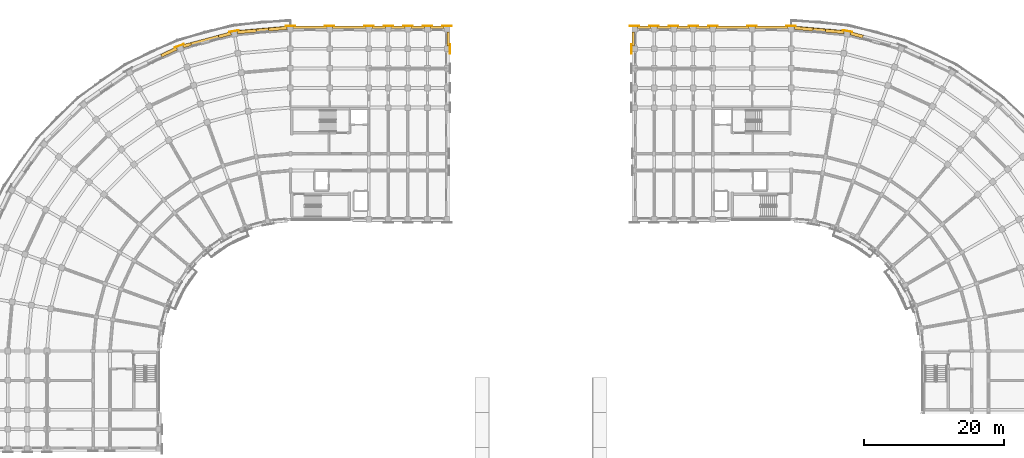
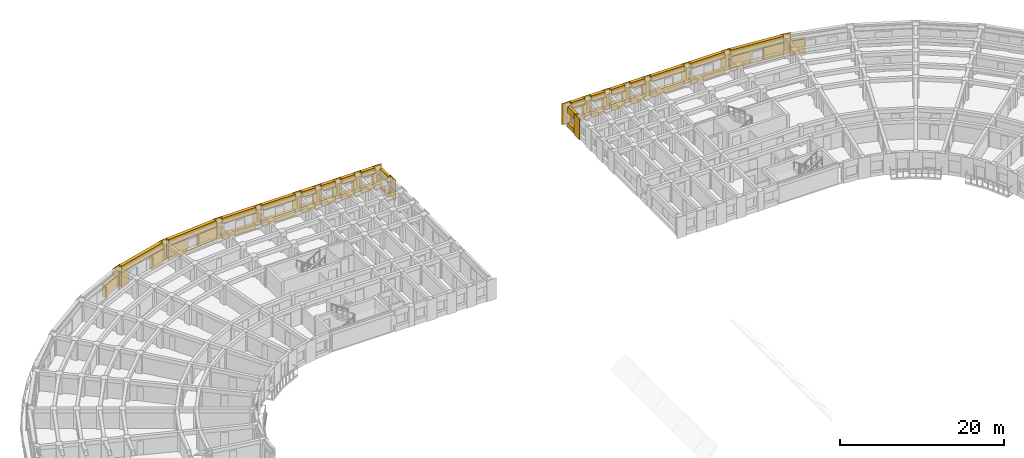
# One storey, part 53 of 54: 60 coverings.
"""IFC4 building model written with IfcOpenShell, lengths in metres."""

from ifc_helpers import new_model, si_unit, direction, frame, origin, place, context, subcontext, project, spatial, polyline, outline, extrude, material, layer, layer_set, type_object, element, save


model = new_model("IFC4")

# Units and contexts
model_context = context("Model", 3, precision=1e-05, world=origin(), true_north=direction((0.0, 1.0)))
body_context = subcontext(model_context, "Body", "Model", "MODEL_VIEW")
ifc_project = project(units=[si_unit("LENGTHUNIT", "METRE"), si_unit("AREAUNIT", "SQUARE_METRE"), si_unit("VOLUMEUNIT", "CUBIC_METRE"), si_unit("PLANEANGLEUNIT", "RADIAN"), si_unit("MASSUNIT", "GRAM", prefix="KILO")], contexts=[model_context])

# Site, building, storey
site_placement = place(None, origin())
site = spatial("IfcSite", under=ifc_project, at=site_placement, CompositionType="ELEMENT")
building_placement = place(site_placement, origin())
building = spatial("IfcBuilding", under=site, at=building_placement, Name="Kiranvali Square Residences", CompositionType="ELEMENT")
storey_placement = place(building_placement, frame((0.0, 0.0, 11.85009765625)))
storey = spatial("IfcBuildingStorey", under=building, at=storey_placement, Name="L03", CompositionType="ELEMENT", Elevation=11.85009765625)

# Coverings
ifc_material = material(Name="Honed Porbandar limestone ashlar facade cladding", Category="masonry")
ifc_layer_1 = layer(ifc_material, 0.3798828125)
ifc_layer_set_1 = layer_set([ifc_layer_1], Name="Honed Porbandar limestone ashlar facade cladding")
covering_type_1 = type_object("IfcCoveringType", Name="COV-CLAD-JAMB", PredefinedType="CLADDING", material=ifc_layer_set_1)
covering_1_placement = place(storey_placement, frame((0.0, 0.0, 0.421875)))
element("IfcCovering", 1, at=covering_1_placement, inside=storey, type_object=covering_type_1, Name="L03 deep limestone window jamb reveal A-L03-CRV-00.L", PredefinedType="CLADDING", context=body_context, shape_type="SweptSolid", body=[
    extrude(outline(polyline([(47.711669921875, 134.218994140625), (45.03759765625, 133.985107421875), (45.07763671875, 133.52734375), (47.751708984375, 133.76123046875), (47.711669921875, 134.218994140625)])), origin(), (0.0, 0.0, 1.0), 1.75),
])
covering_2_placement = place(storey_placement, frame((0.0, 0.0, 0.421875)))
element("IfcCovering", 2, at=covering_2_placement, inside=storey, type_object=covering_type_1, Name="L03 deep limestone window jamb reveal A-L03-CRV-00.R", PredefinedType="CLADDING", context=body_context, shape_type="SweptSolid", body=[
    extrude(outline(polyline([(43.29443359375, 133.83251953125), (40.620361328125, 133.5986328125), (40.660400390625, 133.140869140625), (43.33447265625, 133.374755859375), (43.29443359375, 133.83251953125)])), origin(), (0.0, 0.0, 1.0), 1.75),
])
covering_3_placement = place(storey_placement, origin())
element("IfcCovering", 3, at=covering_3_placement, inside=storey, type_object=covering_type_1, Name="L03 deep limestone window jamb reveal A-L03-CRV-01.L", PredefinedType="CLADDING", context=body_context, shape_type="SweptSolid", body=[
    extrude(outline(polyline([(39.658447265625, 133.428955078125), (37.8798828125, 132.952392578125), (37.998779296875, 132.508544921875), (39.77734375, 132.985107421875), (39.658447265625, 133.428955078125)])), origin(), (0.0, 0.0, 1.0), 2.179931640625),
])
covering_4_placement = place(storey_placement, origin())
element("IfcCovering", 4, at=covering_4_placement, inside=storey, type_object=covering_type_1, Name="L03 deep limestone window jamb reveal A-L03-CRV-01.R", PredefinedType="CLADDING", context=body_context, shape_type="SweptSolid", body=[
    extrude(outline(polyline([(33.942626953125, 131.8974609375), (32.78271484375, 131.586669921875), (32.901611328125, 131.142822265625), (34.0615234375, 131.45361328125), (33.942626953125, 131.8974609375)])), origin(), (0.0, 0.0, 1.0), 2.179931640625),
])
covering_5_placement = place(storey_placement, frame((0.0, 0.0, 0.371826171875)))
element("IfcCovering", 5, at=covering_5_placement, inside=storey, type_object=covering_type_1, Name="L03 deep limestone window jamb reveal A-L03-CRV-02.L", PredefinedType="CLADDING", context=body_context, shape_type="SweptSolid", body=[
    extrude(outline(polyline([(31.86474609375, 131.252685546875), (29.635986328125, 130.21337890625), (29.830322265625, 129.796875), (32.05908203125, 130.836181640625), (31.86474609375, 131.252685546875)])), origin(), (0.0, 0.0, 1.0), 1.800048828125),
])
covering_6_placement = place(storey_placement, frame((0.0, 0.0, 0.421875)))
element("IfcCovering", 6, at=covering_6_placement, inside=storey, type_object=covering_type_1, Name="L03 deep limestone window jamb reveal B-L03-CRV-00.L", PredefinedType="CLADDING", context=body_context, shape_type="SweptSolid", body=[
    extrude(outline(polyline([(120.248291015625, 133.76123046875), (122.92236328125, 133.52734375), (122.96240234375, 133.985107421875), (120.288330078125, 134.218994140625), (120.248291015625, 133.76123046875)])), origin(), (0.0, 0.0, 1.0), 1.75),
])
covering_7_placement = place(storey_placement, frame((0.0, 0.0, 0.421875)))
element("IfcCovering", 7, at=covering_7_placement, inside=storey, type_object=covering_type_1, Name="L03 deep limestone window jamb reveal B-L03-CRV-00.R", PredefinedType="CLADDING", context=body_context, shape_type="SweptSolid", body=[
    extrude(outline(polyline([(124.66552734375, 133.374755859375), (127.339599609375, 133.140869140625), (127.379638671875, 133.5986328125), (124.70556640625, 133.83251953125), (124.66552734375, 133.374755859375)])), origin(), (0.0, 0.0, 1.0), 1.75),
])
covering_8_placement = place(storey_placement, origin())
element("IfcCovering", 8, at=covering_8_placement, inside=storey, type_object=covering_type_1, Name="L03 deep limestone window jamb reveal B-L03-CRV-01.L", PredefinedType="CLADDING", context=body_context, shape_type="SweptSolid", body=[
    extrude(outline(polyline([(128.22265625, 132.985107421875), (130.001220703125, 132.508544921875), (130.1201171875, 132.952392578125), (128.341552734375, 133.428955078125), (128.22265625, 132.985107421875)])), origin(), (0.0, 0.0, 1.0), 2.179931640625),
])
ifc_layer_2 = layer(ifc_material, 0.06494140625)
ifc_layer_set_2 = layer_set([ifc_layer_2], Name="Honed Porbandar limestone ashlar facade cladding")
covering_type_2 = type_object("IfcCoveringType", Name="COV-CLAD-PIER", PredefinedType="CLADDING", material=ifc_layer_set_2)
covering_9_placement = place(storey_placement, frame((0.0, 0.0, 0.0048828125)))
element("IfcCovering", 9, at=covering_9_placement, inside=storey, type_object=covering_type_2, Name="L03 Classical limestone corner pilaster CLAD-PR-A-L03-A00", PredefinedType="CLADDING", context=body_context, shape_type="SweptSolid", body=[
    extrude(outline(polyline([(48.8798828125, 134.26806640625), (47.52001953125, 134.26806640625), (47.52001953125, 134.200439453125), (48.8798828125, 134.200439453125), (48.8798828125, 134.26806640625)])), origin(), (0.0, 0.0, 1.0), 3.14013671875),
])
covering_10_placement = place(storey_placement, frame((0.0, 0.0, 0.0048828125)))
element("IfcCovering", 10, at=covering_10_placement, inside=storey, type_object=covering_type_2, Name="L03 Classical limestone corner pilaster CLAD-PR-A-L03-A01", PredefinedType="CLADDING", context=body_context, shape_type="SweptSolid", body=[
    extrude(outline(polyline([(40.800537109375, 133.68017578125), (39.461181640625, 133.444091796875), (39.472900390625, 133.37744140625), (40.812255859375, 133.61376953125), (40.800537109375, 133.68017578125)])), origin(), (0.0, 0.0, 1.0), 3.14013671875),
])
covering_11_placement = place(storey_placement, frame((0.0, 0.0, 0.0048828125)))
element("IfcCovering", 11, at=covering_11_placement, inside=storey, type_object=covering_type_2, Name="L03 Classical limestone corner pilaster CLAD-PR-A-L03-A02", PredefinedType="CLADDING", context=body_context, shape_type="SweptSolid", body=[
    extrude(outline(polyline([(32.946044921875, 131.6982421875), (31.66796875, 131.233154296875), (31.691162109375, 131.169677734375), (32.968994140625, 131.634765625), (32.946044921875, 131.6982421875)])), origin(), (0.0, 0.0, 1.0), 3.14013671875),
])
covering_12_placement = place(storey_placement, frame((0.0, 0.0, 0.0048828125)))
element("IfcCovering", 12, at=covering_12_placement, inside=storey, type_object=covering_type_2, Name="L03 Classical limestone pilaster casing CLAD-PR-A-L03-U56", PredefinedType="CLADDING", context=body_context, shape_type="SweptSolid", body=[
    extrude(outline(polyline([(53.1201171875, 134.200439453125), (54.47998046875, 134.200439453125), (54.47998046875, 134.26806640625), (53.1201171875, 134.26806640625), (53.1201171875, 134.200439453125)])), origin(), (0.0, 0.0, 1.0), 3.14013671875),
])
covering_13_placement = place(storey_placement, frame((0.0, 0.0, 0.0048828125)))
element("IfcCovering", 13, at=covering_13_placement, inside=storey, type_object=covering_type_2, Name="L03 Classical limestone pilaster casing CLAD-PR-A-L03-U112", PredefinedType="CLADDING", context=body_context, shape_type="SweptSolid", body=[
    extrude(outline(polyline([(58.719970703125, 134.200439453125), (60.080078125, 134.200439453125), (60.080078125, 134.26806640625), (58.719970703125, 134.26806640625), (58.719970703125, 134.200439453125)])), origin(), (0.0, 0.0, 1.0), 3.14013671875),
])
covering_14_placement = place(storey_placement, frame((0.0, 0.0, 0.0048828125)))
element("IfcCovering", 14, at=covering_14_placement, inside=storey, type_object=covering_type_2, Name="L03 Classical limestone pilaster casing CLAD-PR-A-L03-U140", PredefinedType="CLADDING", context=body_context, shape_type="SweptSolid", body=[
    extrude(outline(polyline([(61.52001953125, 134.200439453125), (62.8798828125, 134.200439453125), (62.8798828125, 134.26806640625), (61.52001953125, 134.26806640625), (61.52001953125, 134.200439453125)])), origin(), (0.0, 0.0, 1.0), 3.14013671875),
])
covering_15_placement = place(storey_placement, frame((0.0, 0.0, 0.0048828125)))
element("IfcCovering", 15, at=covering_15_placement, inside=storey, type_object=covering_type_2, Name="L03 Classical limestone pilaster casing CLAD-PR-A-L03-U167", PredefinedType="CLADDING", context=body_context, shape_type="SweptSolid", body=[
    extrude(outline(polyline([(64.320068359375, 134.200439453125), (65.679931640625, 134.200439453125), (65.679931640625, 134.26806640625), (64.320068359375, 134.26806640625), (64.320068359375, 134.200439453125)])), origin(), (0.0, 0.0, 1.0), 3.14013671875),
])
covering_16_placement = place(storey_placement, frame((0.0, 0.0, 0.0048828125)))
element("IfcCovering", 16, at=covering_16_placement, inside=storey, type_object=covering_type_2, Name="L03 Classical limestone pilaster casing CLAD-PR-A-L03-U195", PredefinedType="CLADDING", context=body_context, shape_type="SweptSolid", body=[
    extrude(outline(polyline([(67.1201171875, 134.200439453125), (68.47998046875, 134.200439453125), (68.47998046875, 134.26806640625), (67.1201171875, 134.26806640625), (67.1201171875, 134.200439453125)])), origin(), (0.0, 0.0, 1.0), 3.14013671875),
])
covering_17_placement = place(storey_placement, frame((0.0, 0.0, 0.0048828125)))
element("IfcCovering", 17, at=covering_17_placement, inside=storey, type_object=covering_type_2, Name="L03 Classical limestone pilaster casing CLAD-PR-A-L03-U224", PredefinedType="CLADDING", context=body_context, shape_type="SweptSolid", body=[
    extrude(outline(polyline([(69.919921875, 134.200439453125), (71.280029296875, 134.200439453125), (71.280029296875, 134.26806640625), (69.919921875, 134.26806640625), (69.919921875, 134.200439453125)])), origin(), (0.0, 0.0, 1.0), 3.14013671875),
])
covering_18_placement = place(storey_placement, frame((0.0, 0.0, 0.0048828125)))
element("IfcCovering", 18, at=covering_18_placement, inside=storey, type_object=covering_type_2, Name="L03 Classical limestone corner pilaster CLAD-PR-B-L03-A00", PredefinedType="CLADDING", context=body_context, shape_type="SweptSolid", body=[
    extrude(outline(polyline([(120.47998046875, 134.26806640625), (119.1201171875, 134.26806640625), (119.1201171875, 134.200439453125), (120.47998046875, 134.200439453125), (120.47998046875, 134.26806640625)])), origin(), (0.0, 0.0, 1.0), 3.14013671875),
])
covering_19_placement = place(storey_placement, frame((0.0, 0.0, 0.0048828125)))
element("IfcCovering", 19, at=covering_19_placement, inside=storey, type_object=covering_type_2, Name="L03 Classical limestone corner pilaster CLAD-PR-B-L03-A01", PredefinedType="CLADDING", context=body_context, shape_type="SweptSolid", body=[
    extrude(outline(polyline([(128.538818359375, 133.444091796875), (127.199462890625, 133.68017578125), (127.187744140625, 133.61376953125), (128.527099609375, 133.37744140625), (128.538818359375, 133.444091796875)])), origin(), (0.0, 0.0, 1.0), 3.14013671875),
])
covering_20_placement = place(storey_placement, frame((0.0, 0.0, 0.0048828125)))
element("IfcCovering", 20, at=covering_20_placement, inside=storey, type_object=covering_type_2, Name="L03 Classical limestone pilaster casing CLAD-PR-B-L03-U56", PredefinedType="CLADDING", context=body_context, shape_type="SweptSolid", body=[
    extrude(outline(polyline([(114.8798828125, 134.26806640625), (113.52001953125, 134.26806640625), (113.52001953125, 134.200439453125), (114.8798828125, 134.200439453125), (114.8798828125, 134.26806640625)])), origin(), (0.0, 0.0, 1.0), 3.14013671875),
])
covering_21_placement = place(storey_placement, frame((0.0, 0.0, 0.0048828125)))
element("IfcCovering", 21, at=covering_21_placement, inside=storey, type_object=covering_type_2, Name="L03 Classical limestone pilaster casing CLAD-PR-B-L03-U112", PredefinedType="CLADDING", context=body_context, shape_type="SweptSolid", body=[
    extrude(outline(polyline([(109.280029296875, 134.26806640625), (107.919921875, 134.26806640625), (107.919921875, 134.200439453125), (109.280029296875, 134.200439453125), (109.280029296875, 134.26806640625)])), origin(), (0.0, 0.0, 1.0), 3.14013671875),
])
covering_22_placement = place(storey_placement, frame((0.0, 0.0, 0.0048828125)))
element("IfcCovering", 22, at=covering_22_placement, inside=storey, type_object=covering_type_2, Name="L03 Classical limestone pilaster casing CLAD-PR-B-L03-U140", PredefinedType="CLADDING", context=body_context, shape_type="SweptSolid", body=[
    extrude(outline(polyline([(106.47998046875, 134.26806640625), (105.1201171875, 134.26806640625), (105.1201171875, 134.200439453125), (106.47998046875, 134.200439453125), (106.47998046875, 134.26806640625)])), origin(), (0.0, 0.0, 1.0), 3.14013671875),
])
covering_23_placement = place(storey_placement, frame((0.0, 0.0, 0.0048828125)))
element("IfcCovering", 23, at=covering_23_placement, inside=storey, type_object=covering_type_2, Name="L03 Classical limestone pilaster casing CLAD-PR-B-L03-U167", PredefinedType="CLADDING", context=body_context, shape_type="SweptSolid", body=[
    extrude(outline(polyline([(103.679931640625, 134.26806640625), (102.320068359375, 134.26806640625), (102.320068359375, 134.200439453125), (103.679931640625, 134.200439453125), (103.679931640625, 134.26806640625)])), origin(), (0.0, 0.0, 1.0), 3.14013671875),
])
covering_24_placement = place(storey_placement, frame((0.0, 0.0, 0.0048828125)))
element("IfcCovering", 24, at=covering_24_placement, inside=storey, type_object=covering_type_2, Name="L03 Classical limestone pilaster casing CLAD-PR-B-L03-U195", PredefinedType="CLADDING", context=body_context, shape_type="SweptSolid", body=[
    extrude(outline(polyline([(100.8798828125, 134.26806640625), (99.52001953125, 134.26806640625), (99.52001953125, 134.200439453125), (100.8798828125, 134.200439453125), (100.8798828125, 134.26806640625)])), origin(), (0.0, 0.0, 1.0), 3.14013671875),
])
covering_25_placement = place(storey_placement, frame((0.0, 0.0, 0.0048828125)))
element("IfcCovering", 25, at=covering_25_placement, inside=storey, type_object=covering_type_2, Name="L03 Classical limestone pilaster casing CLAD-PR-B-L03-U224", PredefinedType="CLADDING", context=body_context, shape_type="SweptSolid", body=[
    extrude(outline(polyline([(98.080078125, 134.26806640625), (96.719970703125, 134.26806640625), (96.719970703125, 134.200439453125), (98.080078125, 134.200439453125), (98.080078125, 134.26806640625)])), origin(), (0.0, 0.0, 1.0), 3.14013671875),
])
ifc_layer_3 = layer(ifc_material, 0.054931640625)
ifc_layer_set_3 = layer_set([ifc_layer_3], Name="Honed Porbandar limestone ashlar facade cladding")
covering_type_3 = type_object("IfcCoveringType", Name="COV-CLAD-PIER-UP", PredefinedType="CLADDING", material=ifc_layer_set_3)
covering_26_placement = place(storey_placement, frame((0.0, 0.0, 0.0048828125)))
element("IfcCovering", 26, at=covering_26_placement, inside=storey, type_object=covering_type_3, Name="L03 Classical limestone pilaster casing CLAD-PRA1E-A-L03-R432", PredefinedType="CLADDING", context=body_context, shape_type="SweptSolid", body=[
    extrude(outline(polyline([(71.068115234375, 130.320068359375), (71.068115234375, 131.679931640625), (71.00048828125, 131.679931640625), (71.00048828125, 130.320068359375), (71.068115234375, 130.320068359375)])), origin(), (0.0, 0.0, 1.0), 3.14013671875),
])
covering_27_placement = place(storey_placement, frame((0.0, 0.0, 0.0048828125)))
element("IfcCovering", 27, at=covering_27_placement, inside=storey, type_object=covering_type_3, Name="L03 Classical limestone pilaster casing CLAD-PRA1E-B-L03-R432", PredefinedType="CLADDING", context=body_context, shape_type="SweptSolid", body=[
    extrude(outline(polyline([(96.99951171875, 130.320068359375), (96.99951171875, 131.679931640625), (96.931884765625, 131.679931640625), (96.931884765625, 130.320068359375), (96.99951171875, 130.320068359375)])), origin(), (0.0, 0.0, 1.0), 3.14013671875),
])
ifc_layer_4 = layer(ifc_material, 0.360107421875)
ifc_layer_set_4 = layer_set([ifc_layer_4], Name="Honed Porbandar limestone ashlar facade cladding")
covering_type_4 = type_object("IfcCoveringType", Name="COV-CLAD-WALL", PredefinedType="CLADDING", material=ifc_layer_set_4)
covering_28_placement = place(storey_placement, frame((0.0, 0.0, 2.171875)))
element("IfcCovering", 28, at=covering_28_placement, inside=storey, type_object=covering_type_4, Name="L03 light limestone spandrel lintel A-L03-CRV-00", PredefinedType="CLADDING", context=body_context, shape_type="SweptSolid", body=[
    extrude(outline(polyline([(47.711669921875, 134.218994140625), (40.620361328125, 133.5986328125), (40.660400390625, 133.140869140625), (47.751708984375, 133.76123046875), (47.711669921875, 134.218994140625)])), origin(), (0.0, 0.0, 1.0), 0.97314453125),
])
covering_29_placement = place(storey_placement, frame((0.0, 0.0, 0.0048828125)))
element("IfcCovering", 29, at=covering_29_placement, inside=storey, type_object=covering_type_4, Name="L03 limestone window sill apron A-L03-CRV-00", PredefinedType="CLADDING", context=body_context, shape_type="SweptSolid", body=[
    extrude(outline(polyline([(47.708984375, 134.2490234375), (40.61767578125, 133.62841796875), (40.660400390625, 133.140869140625), (47.751708984375, 133.76123046875), (47.708984375, 134.2490234375)])), origin(), (0.0, 0.0, 1.0), 0.4169921875),
])
covering_30_placement = place(storey_placement, frame((0.0, 0.0, 2.179931640625)))
element("IfcCovering", 30, at=covering_30_placement, inside=storey, type_object=covering_type_4, Name="L03 light limestone spandrel lintel A-L03-CRV-01", PredefinedType="CLADDING", context=body_context, shape_type="SweptSolid", body=[
    extrude(outline(polyline([(39.658447265625, 133.428955078125), (32.78271484375, 131.586669921875), (32.901611328125, 131.142822265625), (39.77734375, 132.985107421875), (39.658447265625, 133.428955078125)])), origin(), (0.0, 0.0, 1.0), 0.965087890625),
])
covering_31_placement = place(storey_placement, frame((0.0, 0.0, 2.27197265625)))
element("IfcCovering", 31, at=covering_31_placement, inside=storey, type_object=covering_type_4, Name="L03 light limestone spandrel lintel A-L03-A1O-0", PredefinedType="CLADDING", context=body_context, shape_type="SweptSolid", body=[
    extrude(outline(polyline([(48.639892578125, 133.800537109375), (53.360107421875, 133.800537109375), (53.360107421875, 134.25), (48.639892578125, 134.25), (48.639892578125, 133.800537109375)])), origin(), (0.0, 0.0, 1.0), 0.873046875),
])
covering_32_placement = place(storey_placement, frame((0.0, 0.0, 0.0048828125)))
element("IfcCovering", 32, at=covering_32_placement, inside=storey, type_object=covering_type_4, Name="L03 limestone window sill apron A-L03-A1O-0", PredefinedType="CLADDING", context=body_context, shape_type="SweptSolid", body=[
    extrude(outline(polyline([(48.639892578125, 133.800537109375), (53.360107421875, 133.800537109375), (53.360107421875, 134.280029296875), (48.639892578125, 134.280029296875), (48.639892578125, 133.800537109375)])), origin(), (0.0, 0.0, 1.0), 0.6669921875),
])
covering_33_placement = place(storey_placement, frame((0.0, 0.0, 2.27197265625)))
element("IfcCovering", 33, at=covering_33_placement, inside=storey, type_object=covering_type_4, Name="L03 light limestone spandrel lintel A-L03-A1O-1", PredefinedType="CLADDING", context=body_context, shape_type="SweptSolid", body=[
    extrude(outline(polyline([(54.239990234375, 133.800537109375), (58.9599609375, 133.800537109375), (58.9599609375, 134.25), (54.239990234375, 134.25), (54.239990234375, 133.800537109375)])), origin(), (0.0, 0.0, 1.0), 0.873046875),
])
covering_34_placement = place(storey_placement, frame((0.0, 0.0, 0.0048828125)))
element("IfcCovering", 34, at=covering_34_placement, inside=storey, type_object=covering_type_4, Name="L03 limestone window sill apron A-L03-A1O-1", PredefinedType="CLADDING", context=body_context, shape_type="SweptSolid", body=[
    extrude(outline(polyline([(54.239990234375, 133.800537109375), (58.9599609375, 133.800537109375), (58.9599609375, 134.280029296875), (54.239990234375, 134.280029296875), (54.239990234375, 133.800537109375)])), origin(), (0.0, 0.0, 1.0), 0.76708984375),
])
covering_35_placement = place(storey_placement, frame((0.0, 0.0, 2.27197265625)))
element("IfcCovering", 35, at=covering_35_placement, inside=storey, type_object=covering_type_4, Name="L03 light limestone spandrel lintel A-L03-A1O-2", PredefinedType="CLADDING", context=body_context, shape_type="SweptSolid", body=[
    extrude(outline(polyline([(59.840087890625, 133.800537109375), (61.760009765625, 133.800537109375), (61.760009765625, 134.25), (59.840087890625, 134.25), (59.840087890625, 133.800537109375)])), origin(), (0.0, 0.0, 1.0), 0.873046875),
])
covering_36_placement = place(storey_placement, frame((0.0, 0.0, 0.0048828125)))
element("IfcCovering", 36, at=covering_36_placement, inside=storey, type_object=covering_type_4, Name="L03 limestone window sill apron A-L03-A1O-2", PredefinedType="CLADDING", context=body_context, shape_type="SweptSolid", body=[
    extrude(outline(polyline([(59.840087890625, 133.800537109375), (61.760009765625, 133.800537109375), (61.760009765625, 134.280029296875), (59.840087890625, 134.280029296875), (59.840087890625, 133.800537109375)])), origin(), (0.0, 0.0, 1.0), 0.817138671875),
])
covering_37_placement = place(storey_placement, frame((0.0, 0.0, 2.22998046875)))
element("IfcCovering", 37, at=covering_37_placement, inside=storey, type_object=covering_type_4, Name="L03 light limestone spandrel lintel A-L03-A1O-3", PredefinedType="CLADDING", context=body_context, shape_type="SweptSolid", body=[
    extrude(outline(polyline([(62.639892578125, 133.800537109375), (64.56005859375, 133.800537109375), (64.56005859375, 134.25), (62.639892578125, 134.25), (62.639892578125, 133.800537109375)])), origin(), (0.0, 0.0, 1.0), 0.9150390625),
])
covering_38_placement = place(storey_placement, frame((0.0, 0.0, 0.0048828125)))
element("IfcCovering", 38, at=covering_38_placement, inside=storey, type_object=covering_type_4, Name="L03 limestone window sill apron A-L03-A1O-3", PredefinedType="CLADDING", context=body_context, shape_type="SweptSolid", body=[
    extrude(outline(polyline([(62.639892578125, 133.800537109375), (64.56005859375, 133.800537109375), (64.56005859375, 134.280029296875), (62.639892578125, 134.280029296875), (62.639892578125, 133.800537109375)])), origin(), (0.0, 0.0, 1.0), 0.875),
])
covering_39_placement = place(storey_placement, frame((0.0, 0.0, 2.27197265625)))
element("IfcCovering", 39, at=covering_39_placement, inside=storey, type_object=covering_type_4, Name="L03 light limestone spandrel lintel A-L03-A1O-4", PredefinedType="CLADDING", context=body_context, shape_type="SweptSolid", body=[
    extrude(outline(polyline([(65.43994140625, 133.800537109375), (67.360107421875, 133.800537109375), (67.360107421875, 134.25), (65.43994140625, 134.25), (65.43994140625, 133.800537109375)])), origin(), (0.0, 0.0, 1.0), 0.873046875),
])
covering_40_placement = place(storey_placement, frame((0.0, 0.0, 0.0048828125)))
element("IfcCovering", 40, at=covering_40_placement, inside=storey, type_object=covering_type_4, Name="L03 limestone window sill apron A-L03-A1O-4", PredefinedType="CLADDING", context=body_context, shape_type="SweptSolid", body=[
    extrude(outline(polyline([(65.43994140625, 133.800537109375), (67.360107421875, 133.800537109375), (67.360107421875, 134.280029296875), (65.43994140625, 134.280029296875), (65.43994140625, 133.800537109375)])), origin(), (0.0, 0.0, 1.0), 0.76708984375),
])
covering_41_placement = place(storey_placement, frame((0.0, 0.0, 2.27197265625)))
element("IfcCovering", 41, at=covering_41_placement, inside=storey, type_object=covering_type_4, Name="L03 light limestone spandrel lintel A-L03-A1O-5", PredefinedType="CLADDING", context=body_context, shape_type="SweptSolid", body=[
    extrude(outline(polyline([(68.239990234375, 133.800537109375), (70.159912109375, 133.800537109375), (70.159912109375, 134.25), (68.239990234375, 134.25), (68.239990234375, 133.800537109375)])), origin(), (0.0, 0.0, 1.0), 0.873046875),
])
covering_42_placement = place(storey_placement, frame((0.0, 0.0, 0.0048828125)))
element("IfcCovering", 42, at=covering_42_placement, inside=storey, type_object=covering_type_4, Name="L03 limestone window sill apron A-L03-A1O-5", PredefinedType="CLADDING", context=body_context, shape_type="SweptSolid", body=[
    extrude(outline(polyline([(68.239990234375, 133.800537109375), (70.159912109375, 133.800537109375), (70.159912109375, 134.280029296875), (68.239990234375, 134.280029296875), (68.239990234375, 133.800537109375)])), origin(), (0.0, 0.0, 1.0), 0.76708984375),
])
covering_43_placement = place(storey_placement, frame((0.0, 0.0, 2.171875)))
element("IfcCovering", 43, at=covering_43_placement, inside=storey, type_object=covering_type_4, Name="L03 light limestone spandrel lintel A-L03-A1END-6", PredefinedType="CLADDING", context=body_context, shape_type="SweptSolid", body=[
    extrude(outline(polyline([(70.93994140625, 131.419921875), (70.93994140625, 133.3798828125), (70.6005859375, 133.3798828125), (70.6005859375, 131.419921875), (70.93994140625, 131.419921875)])), origin(), (0.0, 0.0, 1.0), 0.97314453125),
])
covering_44_placement = place(storey_placement, frame((0.0, 0.0, 0.0048828125)))
element("IfcCovering", 44, at=covering_44_placement, inside=storey, type_object=covering_type_4, Name="L03 limestone window sill apron A-L03-A1END-6", PredefinedType="CLADDING", context=body_context, shape_type="SweptSolid", body=[
    extrude(outline(polyline([(70.969970703125, 131.419921875), (70.969970703125, 133.3798828125), (70.6005859375, 133.3798828125), (70.6005859375, 131.419921875), (70.969970703125, 131.419921875)])), origin(), (0.0, 0.0, 1.0), 0.6669921875),
])
covering_45_placement = place(storey_placement, frame((0.0, 0.0, 2.171875)))
element("IfcCovering", 45, at=covering_45_placement, inside=storey, type_object=covering_type_4, Name="L03 light limestone spandrel lintel B-L03-CRV-00", PredefinedType="CLADDING", context=body_context, shape_type="SweptSolid", body=[
    extrude(outline(polyline([(120.248291015625, 133.76123046875), (127.339599609375, 133.140869140625), (127.379638671875, 133.5986328125), (120.288330078125, 134.218994140625), (120.248291015625, 133.76123046875)])), origin(), (0.0, 0.0, 1.0), 0.97314453125),
])
covering_46_placement = place(storey_placement, frame((0.0, 0.0, 0.0048828125)))
element("IfcCovering", 46, at=covering_46_placement, inside=storey, type_object=covering_type_4, Name="L03 limestone window sill apron B-L03-CRV-00", PredefinedType="CLADDING", context=body_context, shape_type="SweptSolid", body=[
    extrude(outline(polyline([(120.248291015625, 133.76123046875), (127.339599609375, 133.140869140625), (127.38232421875, 133.62841796875), (120.291015625, 134.2490234375), (120.248291015625, 133.76123046875)])), origin(), (0.0, 0.0, 1.0), 0.4169921875),
])
covering_47_placement = place(storey_placement, frame((0.0, 0.0, 2.27197265625)))
element("IfcCovering", 47, at=covering_47_placement, inside=storey, type_object=covering_type_4, Name="L03 light limestone spandrel lintel B-L03-A1O-0", PredefinedType="CLADDING", context=body_context, shape_type="SweptSolid", body=[
    extrude(outline(polyline([(119.360107421875, 134.25), (114.639892578125, 134.25), (114.639892578125, 133.800537109375), (119.360107421875, 133.800537109375), (119.360107421875, 134.25)])), origin(), (0.0, 0.0, 1.0), 0.873046875),
])
covering_48_placement = place(storey_placement, frame((0.0, 0.0, 0.0048828125)))
element("IfcCovering", 48, at=covering_48_placement, inside=storey, type_object=covering_type_4, Name="L03 limestone window sill apron B-L03-A1O-0", PredefinedType="CLADDING", context=body_context, shape_type="SweptSolid", body=[
    extrude(outline(polyline([(119.360107421875, 134.280029296875), (114.639892578125, 134.280029296875), (114.639892578125, 133.800537109375), (119.360107421875, 133.800537109375), (119.360107421875, 134.280029296875)])), origin(), (0.0, 0.0, 1.0), 0.6669921875),
])
covering_49_placement = place(storey_placement, frame((0.0, 0.0, 2.27197265625)))
element("IfcCovering", 49, at=covering_49_placement, inside=storey, type_object=covering_type_4, Name="L03 light limestone spandrel lintel B-L03-A1O-1", PredefinedType="CLADDING", context=body_context, shape_type="SweptSolid", body=[
    extrude(outline(polyline([(113.760009765625, 134.25), (109.0400390625, 134.25), (109.0400390625, 133.800537109375), (113.760009765625, 133.800537109375), (113.760009765625, 134.25)])), origin(), (0.0, 0.0, 1.0), 0.873046875),
])
covering_50_placement = place(storey_placement, frame((0.0, 0.0, 0.0048828125)))
element("IfcCovering", 50, at=covering_50_placement, inside=storey, type_object=covering_type_4, Name="L03 limestone window sill apron B-L03-A1O-1", PredefinedType="CLADDING", context=body_context, shape_type="SweptSolid", body=[
    extrude(outline(polyline([(113.760009765625, 134.280029296875), (109.0400390625, 134.280029296875), (109.0400390625, 133.800537109375), (113.760009765625, 133.800537109375), (113.760009765625, 134.280029296875)])), origin(), (0.0, 0.0, 1.0), 0.76708984375),
])
covering_51_placement = place(storey_placement, frame((0.0, 0.0, 2.27197265625)))
element("IfcCovering", 51, at=covering_51_placement, inside=storey, type_object=covering_type_4, Name="L03 light limestone spandrel lintel B-L03-A1O-2", PredefinedType="CLADDING", context=body_context, shape_type="SweptSolid", body=[
    extrude(outline(polyline([(108.159912109375, 134.25), (106.239990234375, 134.25), (106.239990234375, 133.800537109375), (108.159912109375, 133.800537109375), (108.159912109375, 134.25)])), origin(), (0.0, 0.0, 1.0), 0.873046875),
])
covering_52_placement = place(storey_placement, frame((0.0, 0.0, 0.0048828125)))
element("IfcCovering", 52, at=covering_52_placement, inside=storey, type_object=covering_type_4, Name="L03 limestone window sill apron B-L03-A1O-2", PredefinedType="CLADDING", context=body_context, shape_type="SweptSolid", body=[
    extrude(outline(polyline([(108.159912109375, 134.280029296875), (106.239990234375, 134.280029296875), (106.239990234375, 133.800537109375), (108.159912109375, 133.800537109375), (108.159912109375, 134.280029296875)])), origin(), (0.0, 0.0, 1.0), 0.817138671875),
])
covering_53_placement = place(storey_placement, frame((0.0, 0.0, 2.22998046875)))
element("IfcCovering", 53, at=covering_53_placement, inside=storey, type_object=covering_type_4, Name="L03 light limestone spandrel lintel B-L03-A1O-3", PredefinedType="CLADDING", context=body_context, shape_type="SweptSolid", body=[
    extrude(outline(polyline([(105.360107421875, 134.25), (103.43994140625, 134.25), (103.43994140625, 133.800537109375), (105.360107421875, 133.800537109375), (105.360107421875, 134.25)])), origin(), (0.0, 0.0, 1.0), 0.9150390625),
])
covering_54_placement = place(storey_placement, frame((0.0, 0.0, 0.0048828125)))
element("IfcCovering", 54, at=covering_54_placement, inside=storey, type_object=covering_type_4, Name="L03 limestone window sill apron B-L03-A1O-3", PredefinedType="CLADDING", context=body_context, shape_type="SweptSolid", body=[
    extrude(outline(polyline([(105.360107421875, 134.280029296875), (103.43994140625, 134.280029296875), (103.43994140625, 133.800537109375), (105.360107421875, 133.800537109375), (105.360107421875, 134.280029296875)])), origin(), (0.0, 0.0, 1.0), 0.875),
])
covering_55_placement = place(storey_placement, frame((0.0, 0.0, 2.27197265625)))
element("IfcCovering", 55, at=covering_55_placement, inside=storey, type_object=covering_type_4, Name="L03 light limestone spandrel lintel B-L03-A1O-4", PredefinedType="CLADDING", context=body_context, shape_type="SweptSolid", body=[
    extrude(outline(polyline([(102.56005859375, 134.25), (100.639892578125, 134.25), (100.639892578125, 133.800537109375), (102.56005859375, 133.800537109375), (102.56005859375, 134.25)])), origin(), (0.0, 0.0, 1.0), 0.873046875),
])
covering_56_placement = place(storey_placement, frame((0.0, 0.0, 0.0048828125)))
element("IfcCovering", 56, at=covering_56_placement, inside=storey, type_object=covering_type_4, Name="L03 limestone window sill apron B-L03-A1O-4", PredefinedType="CLADDING", context=body_context, shape_type="SweptSolid", body=[
    extrude(outline(polyline([(102.56005859375, 134.280029296875), (100.639892578125, 134.280029296875), (100.639892578125, 133.800537109375), (102.56005859375, 133.800537109375), (102.56005859375, 134.280029296875)])), origin(), (0.0, 0.0, 1.0), 0.76708984375),
])
covering_57_placement = place(storey_placement, frame((0.0, 0.0, 2.27197265625)))
element("IfcCovering", 57, at=covering_57_placement, inside=storey, type_object=covering_type_4, Name="L03 light limestone spandrel lintel B-L03-A1O-5", PredefinedType="CLADDING", context=body_context, shape_type="SweptSolid", body=[
    extrude(outline(polyline([(99.760009765625, 134.25), (97.840087890625, 134.25), (97.840087890625, 133.800537109375), (99.760009765625, 133.800537109375), (99.760009765625, 134.25)])), origin(), (0.0, 0.0, 1.0), 0.873046875),
])
covering_58_placement = place(storey_placement, frame((0.0, 0.0, 0.0048828125)))
element("IfcCovering", 58, at=covering_58_placement, inside=storey, type_object=covering_type_4, Name="L03 limestone window sill apron B-L03-A1O-5", PredefinedType="CLADDING", context=body_context, shape_type="SweptSolid", body=[
    extrude(outline(polyline([(99.760009765625, 134.280029296875), (97.840087890625, 134.280029296875), (97.840087890625, 133.800537109375), (99.760009765625, 133.800537109375), (99.760009765625, 134.280029296875)])), origin(), (0.0, 0.0, 1.0), 0.76708984375),
])
covering_59_placement = place(storey_placement, frame((0.0, 0.0, 2.171875)))
element("IfcCovering", 59, at=covering_59_placement, inside=storey, type_object=covering_type_4, Name="L03 light limestone spandrel lintel B-L03-A1END-6", PredefinedType="CLADDING", context=body_context, shape_type="SweptSolid", body=[
    extrude(outline(polyline([(97.3994140625, 131.419921875), (97.3994140625, 133.3798828125), (97.06005859375, 133.3798828125), (97.06005859375, 131.419921875), (97.3994140625, 131.419921875)])), origin(), (0.0, 0.0, 1.0), 0.97314453125),
])
covering_60_placement = place(storey_placement, frame((0.0, 0.0, 0.0048828125)))
element("IfcCovering", 60, at=covering_60_placement, inside=storey, type_object=covering_type_4, Name="L03 limestone window sill apron B-L03-A1END-6", PredefinedType="CLADDING", context=body_context, shape_type="SweptSolid", body=[
    extrude(outline(polyline([(97.3994140625, 131.419921875), (97.3994140625, 133.3798828125), (97.030029296875, 133.3798828125), (97.030029296875, 131.419921875), (97.3994140625, 131.419921875)])), origin(), (0.0, 0.0, 1.0), 0.6669921875),
])

save(model, "model.ifc")
